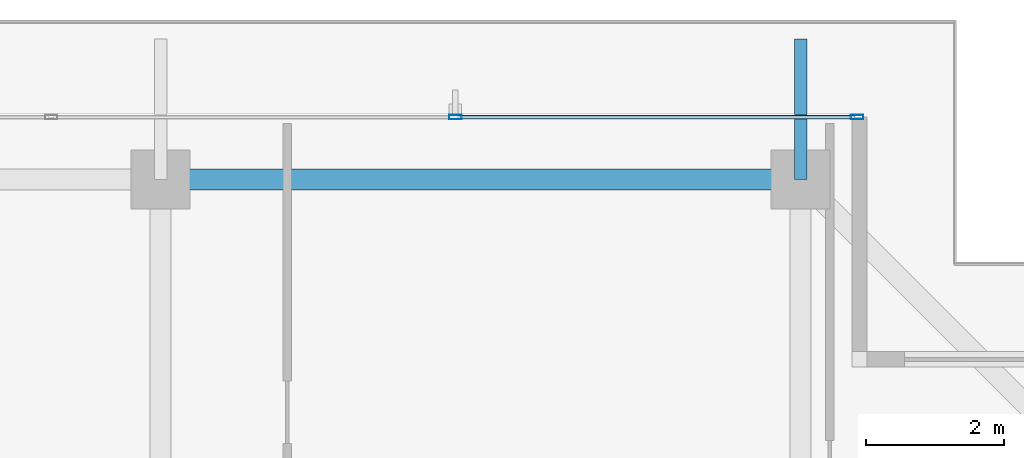
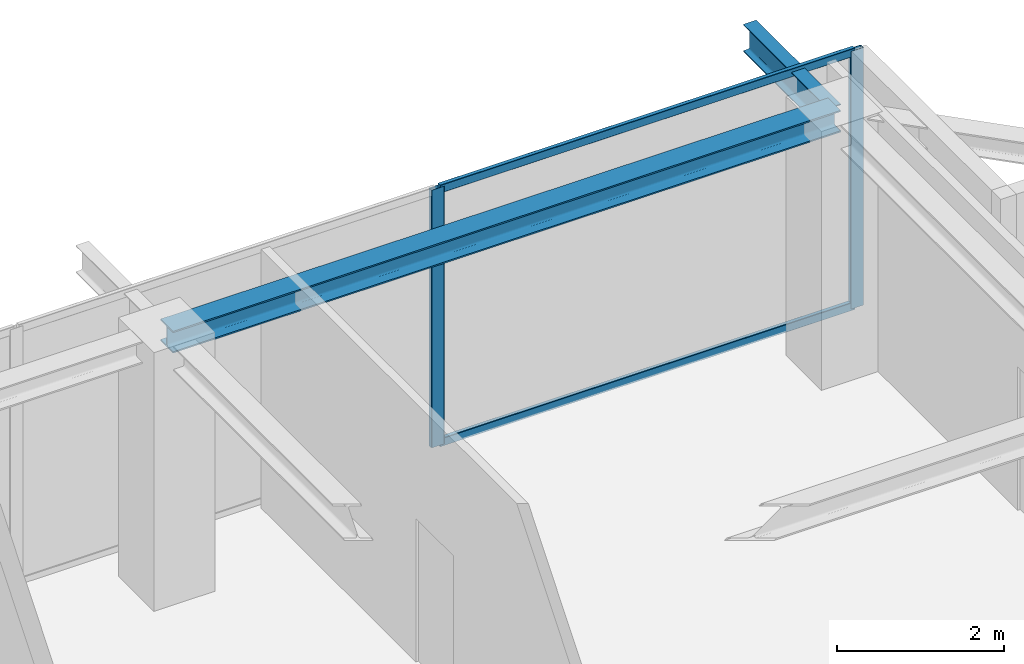
# One storey, part 23 of 36: 4 members, 2 beams, 1 element without a shape of its own.
"""IFC4 building model written with IfcOpenShell, lengths in metres."""

from ifc_helpers import new_model, si_unit, direction, frame, origin, origin_2d, place, context, subcontext, project, spatial, hollow_rectangle, i_section, extrude, source, transform, mapped, material, layer, layer_set, material_profile, profile_set, type_object, element, aggregate, save


model = new_model("IFC4")

# Units and contexts
model_context = context("Model", 3, precision=1e-05, world=origin(), true_north=direction((0.0, 1.0)))
body_context = subcontext(model_context, "Body", "Model", "MODEL_VIEW")
ifc_project = project(units=[si_unit("LENGTHUNIT", "METRE"), si_unit("AREAUNIT", "SQUARE_METRE"), si_unit("VOLUMEUNIT", "CUBIC_METRE"), si_unit("PLANEANGLEUNIT", "RADIAN"), si_unit("MASSUNIT", "GRAM", prefix="KILO")], contexts=[model_context])

# Site, building, storey
site_placement = place(None, origin())
site = spatial("IfcSite", under=ifc_project, at=site_placement, CompositionType="ELEMENT")
building_placement = place(site_placement, origin())
building = spatial("IfcBuilding", under=site, at=building_placement, Name="Serunith Strait Residences", CompositionType="ELEMENT")
storey_placement = place(building_placement, frame((0.0, 0.0, 338.0)))
storey = spatial("IfcBuildingStorey", under=building, at=storey_placement, Name="L84", CompositionType="ELEMENT", Elevation=338.0)

# Beams
ifc_material_1 = material(Name="Steel S355J2", Category="steel")
ifc_material_profile_1 = material_profile(ifc_material_1, i_section(OverallWidth=0.300048828125, OverallDepth=0.320068359375, WebThickness=0.011474609375, FlangeThickness=0.0205078125, FilletRadius=0.027099609375, at=origin_2d()), Name="HEB 320")
ifc_profile_set_1 = profile_set([ifc_material_profile_1], Name="Steel S355J2")
beam_type_1 = type_object("IfcBeamType", Name="BM-HEB320", PredefinedType="BEAM", material=ifc_profile_set_1)
shared_shape_1 = source(origin(), body_context, "Body", "SweptSolid", [
    extrude(i_section(OverallWidth=0.300048828125, OverallDepth=0.320068359375, WebThickness=0.011474609375, FlangeThickness=0.0205078125, FilletRadius=0.027099609375, at=origin_2d()), origin(), (0.0, 0.0, 1.0), 9.25),
])
beam_1_placement = place(storey_placement, frame((46.14990234375, 45.5, 3.626953125), z_axis=(-1.0, 0.0, 0.0), x_axis=(0.0, -1.0, 0.0)))
element("IfcBeam", 1, at=beam_1_placement, inside=storey, type_object=beam_type_1, Name="L84 Perimeter Ring Beam 09", PredefinedType="BEAM", context=body_context, shape_type="MappedRepresentation", body=[
    mapped(shared_shape_1, transform((0.0, 0.0, 0.0), scale=1.0)),
])
ifc_material_profile_2 = material_profile(ifc_material_1, i_section(OverallWidth=0.179931640625, OverallDepth=0.39990234375, WebThickness=0.008544921875, FlangeThickness=0.013427734375, FilletRadius=0.02099609375, at=origin_2d()), Name="IPE 400")
ifc_profile_set_2 = profile_set([ifc_material_profile_2], Name="Steel S355J2")
beam_type_2 = type_object("IfcBeamType", Name="BM-IPE400", PredefinedType="JOIST", material=ifc_profile_set_2)
shared_shape_2 = source(origin(), body_context, "Body", "SweptSolid", [
    extrude(i_section(OverallWidth=0.179931640625, OverallDepth=0.39990234375, WebThickness=0.008544921875, FlangeThickness=0.013427734375, FilletRadius=0.02099609375, at=origin_2d()), origin(), (0.0, 0.0, 1.0), 2.030029296875),
])
beam_2_placement = place(storey_placement, frame((46.14990234375, 45.5, 3.556884765625), z_axis=(0.0, 1.0, 0.0), x_axis=(-1.0, 0.0, 0.0)))
element("IfcBeam", 2, at=beam_2_placement, inside=storey, type_object=beam_type_2, Name="L85 Cantilevered Balcony Rib TC-N4", PredefinedType="JOIST", context=body_context, shape_type="MappedRepresentation", body=[
    mapped(shared_shape_2, transform((0.0, 0.0, 0.0), scale=1.0)),
])

# Curtain wall, members
ifc_material_2 = material(Name="Brushed Stainless-Silver Aluminium", Category="aluminium")
ifc_layer = layer(ifc_material_2, 0.199951171875, Name="Brushed Stainless-Silver Aluminium")
ifc_layer_set = layer_set([ifc_layer], Name="Brushed Stainless-Silver Aluminium")
curtain_wall_type = type_object("IfcCurtainWallType", Name="CW-SYS5", PredefinedType="NOTDEFINED", material=ifc_layer_set)
curtain_wall_placement = place(storey_placement, origin())
curtain_wall = element("IfcCurtainWall", 3, at=curtain_wall_placement, inside=storey, type_object=curtain_wall_type, Name="L84 N Unitised Fritted Curtain Wall", PredefinedType="NOTDEFINED")
ifc_material_profile_3 = material_profile(ifc_material_2, hollow_rectangle(XDim=0.06494140625, YDim=0.179931640625, WallThickness=0.00341796875, InnerFilletRadius=0.00537109375, OuterFilletRadius=0.0087890625, at=origin_2d()), Name="ALU 180x65x3.5")
ifc_profile_set_3 = profile_set([ifc_material_profile_3], Name="Brushed Stainless-Silver Aluminium")
member_type_1 = type_object("IfcMemberType", Name="CW-SYS5-MULL", PredefinedType="MULLION", material=ifc_profile_set_3)
shared_shape_3 = source(origin(), body_context, "Body", "SweptSolid", [
    extrude(hollow_rectangle(XDim=0.06494140625, YDim=0.179931640625, WallThickness=0.00341796875, InnerFilletRadius=0.00537109375, OuterFilletRadius=0.0087890625, at=origin_2d()), origin(), (0.0, 0.0, 1.0), 3.77490234375),
])
member_1_placement = place(storey_placement, frame((46.967529296875, 46.39990234375, 0.0), z_axis=(0.0, 0.0, 1.0), x_axis=(0.0, -1.0, 0.0)))
member_1 = element("IfcMember", 4, at=member_1_placement, type_object=member_type_1, Name="CW-5 mullion 1", PredefinedType="MULLION", context=body_context, shape_type="MappedRepresentation", body=[
    mapped(shared_shape_3, transform((0.0, 0.0, 0.0), scale=1.0)),
])
member_2_placement = place(storey_placement, frame((41.159912109375, 46.39990234375, 0.0), z_axis=(0.0, 0.0, 1.0), x_axis=(0.0, -1.0, 0.0)))
member_2 = element("IfcMember", 5, at=member_2_placement, type_object=member_type_1, Name="CW-5 mullion 2", PredefinedType="MULLION", context=body_context, shape_type="MappedRepresentation", body=[
    mapped(shared_shape_3, transform((0.0, 0.0, 0.0), scale=1.0)),
])
ifc_material_profile_4 = material_profile(ifc_material_2, hollow_rectangle(XDim=0.06005859375, YDim=0.1201171875, WallThickness=0.00341796875, InnerFilletRadius=0.00537109375, OuterFilletRadius=0.0087890625, at=origin_2d()), Name="ALU 120x60x3.5")
ifc_profile_set_4 = profile_set([ifc_material_profile_4], Name="Brushed Stainless-Silver Aluminium")
member_type_2 = type_object("IfcMemberType", Name="CW-SYS5-TRAN", PredefinedType="USERDEFINED", material=ifc_profile_set_4)
shared_shape_4 = source(origin(), body_context, "Body", "SweptSolid", [
    extrude(hollow_rectangle(XDim=0.06005859375, YDim=0.1201171875, WallThickness=0.00341796875, InnerFilletRadius=0.00537109375, OuterFilletRadius=0.0087890625, at=origin_2d()), origin(), (0.0, 0.0, 1.0), 5.74267578125),
])
member_3_placement = place(storey_placement, frame((46.93505859375, 46.39990234375, 0.030029296875), z_axis=(-1.0, 0.0, 0.0), x_axis=(0.0, -1.0, 0.0)))
member_3 = element("IfcMember", 6, at=member_3_placement, type_object=member_type_2, Name="CW-5 transom 1.1", ObjectType="TRANSOM", PredefinedType="USERDEFINED", context=body_context, shape_type="MappedRepresentation", body=[
    mapped(shared_shape_4, transform((0.0, 0.0, 0.0), scale=1.0)),
])
member_4_placement = place(storey_placement, frame((46.93505859375, 46.39990234375, 3.7451171875), z_axis=(-1.0, 0.0, 0.0), x_axis=(0.0, -1.0, 0.0)))
member_4 = element("IfcMember", 7, at=member_4_placement, type_object=member_type_2, Name="CW-5 transom 1.2", ObjectType="TRANSOM", PredefinedType="USERDEFINED", context=body_context, shape_type="MappedRepresentation", body=[
    mapped(shared_shape_4, transform((0.0, 0.0, 0.0), scale=1.0)),
])
aggregate(curtain_wall, [member_1, member_2, member_3, member_4])

save(model, "model.ifc")
